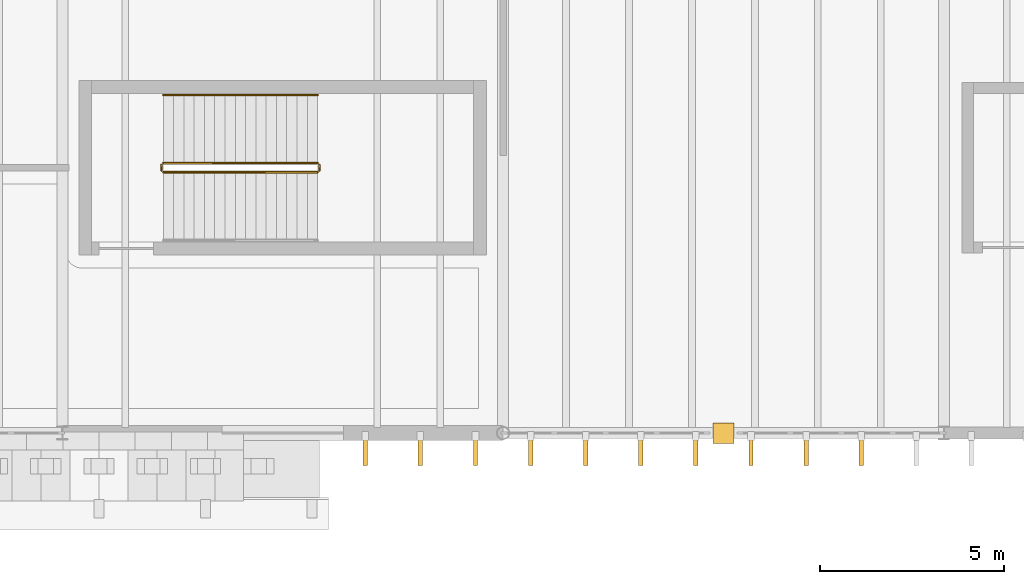
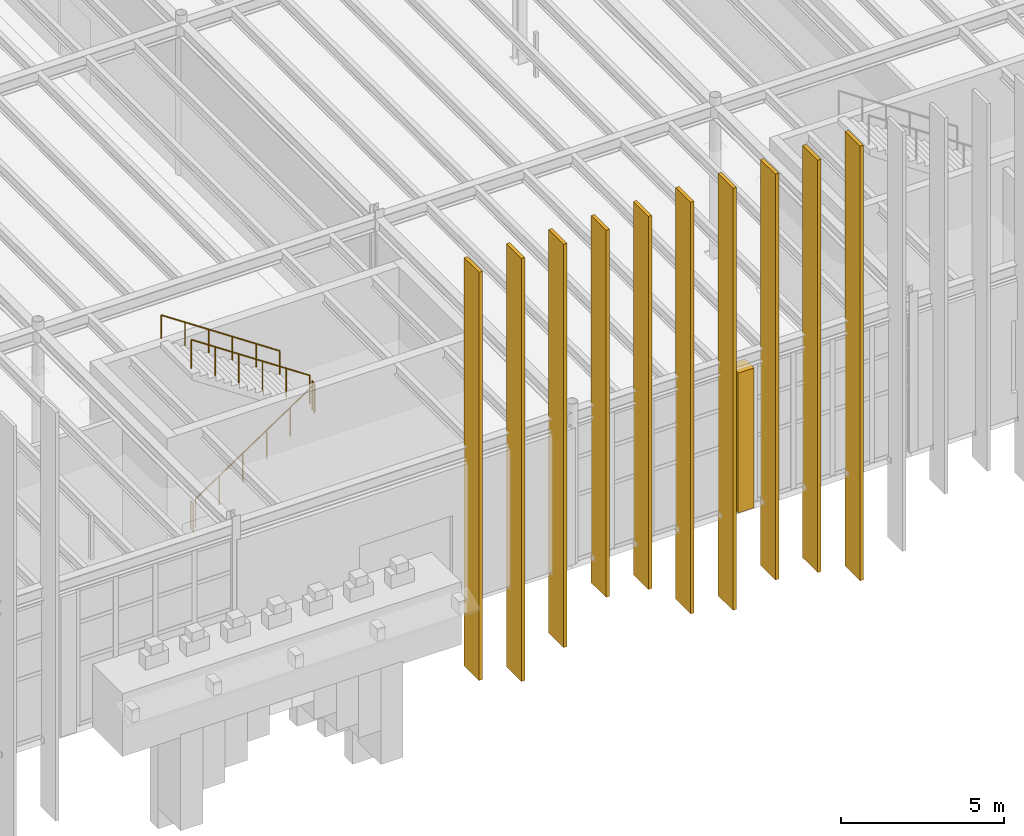
# One storey, part 67 of 83: 11 coverings, 5 railings.
"""IFC4 building model written with IfcOpenShell, lengths in metres."""

import ifcopenshell
import ifcopenshell.guid

model = None  # the IFC model being written
_history = None  # IfcOwnerHistory: only IFC2X3 demands one
_inside = {}  # id of a spatial element -> (the spatial element, [elements in it])
_under = {}  # id of a project, library or spatial element -> (it, [spatial elements below it])
_declared = {}  # id of a project -> (the project, [libraries it declares])
_typed = {}  # id of a type object -> (the type object, [elements of that type])
_made_of = {}  # id of a material, layer set ... -> (it, [elements and type objects made of it])


def new_model(schema):
    """Start an empty IFC model of exactly this schema.

    Asked for "IFC4X3", IfcOpenShell would pick the latest addendum, in which some entities
    have other attributes; the version numbers below select the first issue.
    IFC2X3 requires an IfcOwnerHistory on every rooted entity: one is made here for all.
    """
    global model, _history
    if schema == "IFC4X3":
        model = ifcopenshell.file(schema_version=(4, 3, 0, 0))
    else:
        model = ifcopenshell.file(schema=schema)
    _inside.clear()
    _under.clear()
    _declared.clear()
    _typed.clear()
    _made_of.clear()
    _history = None
    if model.schema == "IFC2X3":
        org = make("IfcOrganization", Name="unknown")
        user = make(
            "IfcPersonAndOrganization",
            ThePerson=make("IfcPerson", FamilyName="unknown"),
            TheOrganization=org,
        )
        app = make(
            "IfcApplication",
            ApplicationDeveloper=org,
            Version="unknown",
            ApplicationFullName="unknown",
            ApplicationIdentifier="unknown",
        )
        _history = make(
            "IfcOwnerHistory",
            OwningUser=user,
            OwningApplication=app,
            ChangeAction="ADDED",
            CreationDate=0,
        )
    return model


def make(cls, **values):
    """One entity of the class cls with the attributes given. An attribute that is None is left unset."""
    return model.create_entity(
        cls, **{name: value for name, value in values.items() if value is not None}
    )


def rooted(cls, **values):
    """An entity with a GlobalId (a new one), such as an element, a storey or a relation."""
    return make(cls, GlobalId=ifcopenshell.guid.new(), OwnerHistory=_history, **values)


def si_unit(unit_type, name, prefix=None):
    """IfcSIUnit, for example si_unit("LENGTHUNIT", "METRE", prefix="MILLI")."""
    return make("IfcSIUnit", UnitType=unit_type, Prefix=prefix, Name=name)


def assignment(units):
    """IfcUnitAssignment: the units of a project."""
    return None if units is None else make("IfcUnitAssignment", Units=units)


def point(xyz):
    """IfcCartesianPoint."""
    return None if xyz is None else make("IfcCartesianPoint", Coordinates=xyz)


def direction(xyz):
    """IfcDirection."""
    return None if xyz is None else make("IfcDirection", DirectionRatios=xyz)


def frame(location, z_axis=None, x_axis=None):
    """IfcAxis2Placement3D, a coordinate frame: its origin and axes. An axis left out is left unset."""
    return make(
        "IfcAxis2Placement3D",
        Location=point(location),
        Axis=direction(z_axis),
        RefDirection=direction(x_axis),
    )


def frame_2d(location, x_axis=None):
    """IfcAxis2Placement2D, a coordinate frame in the plane: its origin and x axis."""
    return make(
        "IfcAxis2Placement2D", Location=point(location), RefDirection=direction(x_axis)
    )


def origin():
    """The frame at (0, 0, 0) with its axes left unset."""
    return frame((0.0, 0.0, 0.0))


def origin_2d():
    """The frame at (0, 0) in the plane with its x axis left unset."""
    return frame_2d((0.0, 0.0))


def place(relative_to, where):
    """IfcLocalPlacement: puts the frame where relative to a parent placement (None: the world)."""
    return make(
        "IfcLocalPlacement", PlacementRelTo=relative_to, RelativePlacement=where
    )


def context(
    kind, dimensions, precision=None, world=None, true_north=None, identifier=None
):
    """IfcGeometricRepresentationContext, for example the 3D "Model" context."""
    return make(
        "IfcGeometricRepresentationContext",
        ContextIdentifier=identifier,
        ContextType=kind,
        CoordinateSpaceDimension=dimensions,
        Precision=precision,
        WorldCoordinateSystem=world,
        TrueNorth=true_north,
    )


def subcontext(parent, identifier, kind, view, scale=None):
    """IfcGeometricRepresentationSubContext, for example "Body" below "Model"."""
    return make(
        "IfcGeometricRepresentationSubContext",
        ContextIdentifier=identifier,
        ContextType=kind,
        ParentContext=parent,
        TargetScale=scale,
        TargetView=view,
    )


def project(units=None, contexts=None):
    """IfcProject with its units and contexts."""
    return rooted(
        "IfcProject",
        Name="project",
        RepresentationContexts=contexts,
        UnitsInContext=assignment(units),
    )


def spatial(cls, under=None, at=None, **own):
    """A site, building, storey or space (cls), placed at a placement, below another one or the project."""
    s = rooted(cls, ObjectPlacement=at, **own)
    if under is not None:
        _under.setdefault(under.id(), (under, []))[1].append(s)
    return s


def polyline(points):
    """IfcPolyline through the points."""
    return make("IfcPolyline", Points=[point(p) for p in points])


def profile(cls, at=None, kind="AREA", **sizes):
    """A parametric profile (cls). Its sizes go by their IFC names, for example OverallWidth=200.0."""
    return make(cls, ProfileType=kind, Position=at, **sizes)


def circle(**sizes):
    """IfcCircleProfileDef."""
    return profile("IfcCircleProfileDef", **sizes)


def outline(outer, holes=None, kind="AREA"):
    """IfcArbitraryClosedProfileDef: a profile drawn as a closed curve; with holes, ...WithVoids."""
    if holes is None:
        return make("IfcArbitraryClosedProfileDef", ProfileType=kind, OuterCurve=outer)
    return make(
        "IfcArbitraryProfileDefWithVoids",
        ProfileType=kind,
        OuterCurve=outer,
        InnerCurves=holes,
    )


def extrude(swept, where, along, depth):
    """IfcExtrudedAreaSolid: the profile swept, set in the frame where, extruded along a direction by depth."""
    return make(
        "IfcExtrudedAreaSolid",
        SweptArea=swept,
        Position=where,
        ExtrudedDirection=direction(along),
        Depth=depth,
    )


def shape(context_of_items, identifier, shape_type, items):
    """IfcShapeRepresentation: the items that make up one representation, for example the "Body"."""
    return make(
        "IfcShapeRepresentation",
        ContextOfItems=context_of_items,
        RepresentationIdentifier=identifier,
        RepresentationType=shape_type,
        Items=items,
    )


def material(Name=None, Category=None):
    """IfcMaterial."""
    return make("IfcMaterial", Name=Name, Category=Category)


def layer(
    of_material, thickness, ventilated=None, Name=None, Category=None, Priority=None
):
    """IfcMaterialLayer: one layer of a wall or slab, of a material (None: an air gap)."""
    return make(
        "IfcMaterialLayer",
        Material=of_material,
        LayerThickness=thickness,
        IsVentilated=ventilated,
        Name=Name,
        Category=Category,
        Priority=Priority,
    )


def layer_set(layers, Name=None):
    """IfcMaterialLayerSet."""
    return make("IfcMaterialLayerSet", MaterialLayers=layers, LayerSetName=Name)


def made_of(thing, what):
    """Note that an element or type object is made of a material, layer set ...; save() writes the relation."""
    if what is not None:
        _made_of.setdefault(what.id(), (what, []))[1].append(thing)
    return thing


def type_object(cls, material=None, **own):
    """A type object (cls), such as IfcWallType, which elements share."""
    return made_of(rooted(cls, **own), material)


def element(
    cls,
    number,
    at=None,
    inside=None,
    cuts=None,
    type_object=None,
    material=None,
    context=None,
    identifier="Body",
    shape_type=None,
    held_by="IfcProductDefinitionShape",
    body=None,
    shapes=None,
    **own,
):
    """One element of the class cls, such as IfcWall. Its Tag is "e" and its number.

    at: its placement. inside: the storey or other place that contains it. cuts: it is an
    opening in that element (IfcRelVoidsElement). A single representation is given by context,
    identifier, shape_type and body (its items); several are given by shapes. held_by: the class
    of the entity that holds the representations. save() writes the other relations.
    """
    e = rooted(cls, Tag="e%d" % number, ObjectPlacement=at, **own)
    if body is not None:
        shapes = [shape(context, identifier, shape_type, body)]
    if shapes is not None:
        e.Representation = make(held_by, Representations=shapes)
    if inside is not None:
        _inside.setdefault(inside.id(), (inside, []))[1].append(e)
    if cuts is not None:
        rooted(
            "IfcRelVoidsElement", RelatingBuildingElement=cuts, RelatedOpeningElement=e
        )
    if type_object is not None:
        _typed.setdefault(type_object.id(), (type_object, []))[1].append(e)
    return made_of(e, material)


def aggregate(whole, parts):
    """IfcRelAggregates: a whole, such as a stair, and the parts it consists of."""
    return rooted("IfcRelAggregates", RelatingObject=whole, RelatedObjects=parts)


def save(model, path):
    """Write the relations noted so far, then the file.

    IfcRelAggregates (storeys below a building ...), IfcRelContainedInSpatialStructure (elements
    in a storey), IfcRelDefinesByType, IfcRelAssociatesMaterial and IfcRelDeclares: one each for
    every whole, place, type object, material and project.
    """
    for whole, parts in _under.values():
        aggregate(whole, parts)
    for where, things in _inside.values():
        rooted(
            "IfcRelContainedInSpatialStructure",
            RelatedElements=things,
            RelatingStructure=where,
        )
    for kind, things in _typed.values():
        rooted("IfcRelDefinesByType", RelatedObjects=things, RelatingType=kind)
    for what, things in _made_of.values():
        rooted("IfcRelAssociatesMaterial", RelatedObjects=things, RelatingMaterial=what)
    for by, libraries in _declared.values():
        rooted("IfcRelDeclares", RelatingContext=by, RelatedDefinitions=libraries)
    model.write(path)


model = new_model("IFC4")

# Units and contexts
model_context = context("Model", 3, precision=1e-05, world=origin(), true_north=direction((0.0, 1.0)))
body_context = subcontext(model_context, "Body", "Model", "MODEL_VIEW")
ifc_project = project(units=[si_unit("LENGTHUNIT", "METRE"), si_unit("AREAUNIT", "SQUARE_METRE"), si_unit("VOLUMEUNIT", "CUBIC_METRE"), si_unit("PLANEANGLEUNIT", "RADIAN"), si_unit("MASSUNIT", "GRAM", prefix="KILO")], contexts=[model_context])

# Site, building, storey
site_placement = place(None, origin())
site = spatial("IfcSite", under=ifc_project, at=site_placement, CompositionType="ELEMENT")
building_placement = place(site_placement, origin())
building = spatial("IfcBuilding", under=site, at=building_placement, Name="Zlatogorsky Bluff Art Gallery", CompositionType="ELEMENT")
storey_placement = place(building_placement, frame((0.0, 0.0, 10.800048828125)))
storey = spatial("IfcBuildingStorey", under=building, at=storey_placement, Name="L02", CompositionType="ELEMENT", Elevation=10.800048828125)

# Covering
ifc_material_1 = material(Name="Honed Red Agra-Tone Quartzitic Sandstone", Category="masonry")
ifc_layer_1 = layer(ifc_material_1, 0.1201171875)
ifc_layer_set_1 = layer_set([ifc_layer_1], Name="Carved Sandstone Cladding CLD-02")
covering_type_1 = type_object("IfcCoveringType", Name="Carved Sandstone Cladding CLD-02", PredefinedType="CLADDING", material=ifc_layer_set_1)
covering_1_placement = place(storey_placement, frame((0.0, 0.0, -0.030029296875)))
element("IfcCovering", 1, at=covering_1_placement, inside=storey, type_object=covering_type_1, Name="Mughal dalan central sandstone pier L02 S 7.8", PredefinedType="CLADDING", context=body_context, shape_type="SweptSolid", body=[
    extrude(outline(polyline([(89.719970703125, 83.719970703125), (90.280029296875, 83.719970703125), (90.280029296875, 84.280029296875), (89.719970703125, 84.280029296875), (89.719970703125, 83.719970703125)])), origin(), (0.0, 0.0, 1.0), 5.239990234375),
])

# Railings
ifc_material_2 = material(Name="Architectural Bronze and Laminated Glass", Category="glass")
railing_type_1 = type_object("IfcRailingType", Name="Gallery Guard Rail 1100mm", PredefinedType="GUARDRAIL", material=ifc_material_2)
railing_1_placement = place(storey_placement, frame((74.75, 91.10009765625, 0.1875)))
element("IfcRailing", 2, at=railing_1_placement, inside=storey, type_object=railing_type_1, Name="L02 ST-08 stair guard 1", PredefinedType="GUARDRAIL", context=body_context, shape_type="SweptSolid", body=[
    extrude(circle(Radius=0.02392578125, at=origin_2d()), frame((0.0, 0.0, 1.076171875), z_axis=(0.830904186295, 0.0, 0.556415522067), x_axis=(0.0, 1.0, 0.0)), (0.0, 0.0, 1.0), 5.0546875),
    extrude(circle(Radius=0.02099609375, at=origin_2d()), origin(), (0.0, 0.0, 1.0), 1.052001953125),
    extrude(circle(Radius=0.02099609375, at=origin_2d()), frame((0.840087890625, 0.0, 0.5625)), (0.0, 0.0, 1.0), 1.052001953125),
    extrude(circle(Radius=0.02099609375, at=origin_2d()), frame((1.679931640625, 0.0, 1.125)), (0.0, 0.0, 1.0), 1.052001953125),
    extrude(circle(Radius=0.02099609375, at=origin_2d()), frame((2.52001953125, 0.0, 1.6875)), (0.0, 0.0, 1.0), 1.052001953125),
    extrude(circle(Radius=0.02099609375, at=origin_2d()), frame((3.35986328125, 0.0, 2.25)), (0.0, 0.0, 1.0), 1.052001953125),
    extrude(circle(Radius=0.02099609375, at=origin_2d()), frame((4.199951171875, 0.0, 2.8125)), (0.0, 0.0, 1.0), 1.052001953125),
])
railing_2_placement = place(storey_placement, frame((79.0, 91.14990234375, 3.0)))
element("IfcRailing", 3, at=railing_2_placement, inside=storey, type_object=railing_type_1, Name="L02 ST-08 stair guard 2", PredefinedType="GUARDRAIL", context=body_context, shape_type="SweptSolid", body=[
    extrude(circle(Radius=0.02392578125, at=origin_2d()), frame((0.0, 0.0, 1.076171875), z_axis=(0.0, 1.0, 0.0), x_axis=(-1.0, 0.0, 0.0)), (0.0, 0.0, 1.0), 0.150146484375),
    extrude(circle(Radius=0.02099609375, at=origin_2d()), origin(), (0.0, 0.0, 1.0), 1.052001953125),
    extrude(circle(Radius=0.02099609375, at=origin_2d()), frame((0.0, 0.150146484375, 0.0)), (0.0, 0.0, 1.0), 1.052001953125),
])
railing_3_placement = place(storey_placement, frame((78.949951171875, 91.35009765625, 3.1875)))
element("IfcRailing", 4, at=railing_3_placement, inside=storey, type_object=railing_type_1, Name="L02 ST-08 stair guard 3", PredefinedType="GUARDRAIL", context=body_context, shape_type="SweptSolid", body=[
    extrude(circle(Radius=0.02392578125, at=origin_2d()), frame((0.0, 0.0, 1.076171875), z_axis=(-0.830904186295, 0.0, 0.556415522067), x_axis=(0.0, -1.0, 0.0)), (0.0, 0.0, 1.0), 5.0546875),
    extrude(circle(Radius=0.02099609375, at=origin_2d()), origin(), (0.0, 0.0, 1.0), 1.052001953125),
    extrude(circle(Radius=0.02099609375, at=origin_2d()), frame((-0.840087890625, 0.0, 0.5625)), (0.0, 0.0, 1.0), 1.052001953125),
    extrude(circle(Radius=0.02099609375, at=origin_2d()), frame((-1.679931640625, 0.0, 1.125)), (0.0, 0.0, 1.0), 1.052001953125),
    extrude(circle(Radius=0.02099609375, at=origin_2d()), frame((-2.52001953125, 0.0, 1.6875)), (0.0, 0.0, 1.0), 1.052001953125),
    extrude(circle(Radius=0.02099609375, at=origin_2d()), frame((-3.35986328125, 0.0, 2.25)), (0.0, 0.0, 1.0), 1.052001953125),
    extrude(circle(Radius=0.02099609375, at=origin_2d()), frame((-4.199951171875, 0.0, 2.8125)), (0.0, 0.0, 1.0), 1.052001953125),
])
railing_4_placement = place(storey_placement, frame((74.699951171875, 91.14990234375, 0.0)))
element("IfcRailing", 5, at=railing_4_placement, inside=storey, type_object=railing_type_1, Name="L02 ST-08 stair guard 4", PredefinedType="GUARDRAIL", context=body_context, shape_type="SweptSolid", body=[
    extrude(circle(Radius=0.02392578125, at=origin_2d()), frame((0.0, 0.0, 1.076171875), z_axis=(0.0, 1.0, 0.0), x_axis=(-1.0, 0.0, 0.0)), (0.0, 0.0, 1.0), 0.150146484375),
    extrude(circle(Radius=0.02099609375, at=origin_2d()), origin(), (0.0, 0.0, 1.0), 1.052001953125),
    extrude(circle(Radius=0.02099609375, at=origin_2d()), frame((0.0, 0.150146484375, 0.0)), (0.0, 0.0, 1.0), 1.052001953125),
])
ifc_material_3 = material(Name="Brushed Stainless Steel", Category="steel")
railing_type_2 = type_object("IfcRailingType", Name="Stair Pitch Handrail 900mm", PredefinedType="HANDRAIL", material=ifc_material_3)
railing_5_placement = place(storey_placement, frame((78.949951171875, 93.199951171875, 3.1875)))
element("IfcRailing", 6, at=railing_5_placement, inside=storey, type_object=railing_type_2, Name="L02 ST-08 stair handrail 2", PredefinedType="HANDRAIL", context=body_context, shape_type="SweptSolid", body=[
    extrude(circle(Radius=0.02392578125, at=origin_2d()), frame((0.0, 0.0, 0.8759765625), z_axis=(-0.830904186295, 0.0, 0.556415522067), x_axis=(0.0, -1.0, 0.0)), (0.0, 0.0, 1.0), 5.0546875),
    extrude(circle(Radius=0.02099609375, at=origin_2d()), origin(), (0.0, 0.0, 1.0), 0.851806640625),
    extrude(circle(Radius=0.02099609375, at=origin_2d()), frame((-0.840087890625, 0.0, 0.5625)), (0.0, 0.0, 1.0), 0.851806640625),
    extrude(circle(Radius=0.02099609375, at=origin_2d()), frame((-1.679931640625, 0.0, 1.125)), (0.0, 0.0, 1.0), 0.851806640625),
    extrude(circle(Radius=0.02099609375, at=origin_2d()), frame((-2.52001953125, 0.0, 1.6875)), (0.0, 0.0, 1.0), 0.851806640625),
    extrude(circle(Radius=0.02099609375, at=origin_2d()), frame((-3.35986328125, 0.0, 2.25)), (0.0, 0.0, 1.0), 0.851806640625),
    extrude(circle(Radius=0.02099609375, at=origin_2d()), frame((-4.199951171875, 0.0, 2.8125)), (0.0, 0.0, 1.0), 0.851806640625),
])

# Coverings
ifc_material_4 = material(Name="Patinated Architectural Bronze Fin", Category="metal")
ifc_layer_2 = layer(ifc_material_4, 0.110107421875)
ifc_layer_set_2 = layer_set([ifc_layer_2], Name="Vertical Gallery Fin FIN-01")
covering_type_2 = type_object("IfcCoveringType", Name="Vertical Gallery Fin FIN-01", PredefinedType="CLADDING", material=ifc_layer_set_2)
covering_2_placement = place(storey_placement, frame((0.0, 0.0, -2.608154296875)))
element("IfcCovering", 7, at=covering_2_placement, inside=storey, type_object=covering_type_2, Name="Lifted gallery vertical bronze fin S.045", PredefinedType="CLADDING", context=body_context, shape_type="SweptSolid", body=[
    extrude(outline(polyline([(80.18994140625, 83.1201171875), (80.31005859375, 83.1201171875), (80.31005859375, 84.0400390625), (80.18994140625, 84.0400390625), (80.18994140625, 83.1201171875)])), origin(), (0.0, 0.0, 1.0), 15.2880859375),
])
covering_3_placement = place(storey_placement, frame((0.0, 0.0, -3.173095703125)))
element("IfcCovering", 8, at=covering_3_placement, inside=storey, type_object=covering_type_2, Name="Lifted gallery vertical bronze fin S.046", PredefinedType="CLADDING", context=body_context, shape_type="SweptSolid", body=[
    extrude(outline(polyline([(81.68994140625, 83.1201171875), (81.81005859375, 83.1201171875), (81.81005859375, 84.0400390625), (81.68994140625, 84.0400390625), (81.68994140625, 83.1201171875)])), origin(), (0.0, 0.0, 1.0), 15.85302734375),
])
covering_4_placement = place(storey_placement, frame((0.0, 0.0, -2.427978515625)))
element("IfcCovering", 9, at=covering_4_placement, inside=storey, type_object=covering_type_2, Name="Lifted gallery vertical bronze fin S.047", PredefinedType="CLADDING", context=body_context, shape_type="SweptSolid", body=[
    extrude(outline(polyline([(83.18994140625, 83.1201171875), (83.31005859375, 83.1201171875), (83.31005859375, 84.0400390625), (83.18994140625, 84.0400390625), (83.18994140625, 83.1201171875)])), origin(), (0.0, 0.0, 1.0), 15.10791015625),
])
covering_5_placement = place(storey_placement, frame((0.0, 0.0, -1.070068359375)))
element("IfcCovering", 10, at=covering_5_placement, inside=storey, type_object=covering_type_2, Name="Lifted gallery vertical bronze fin S.048", PredefinedType="CLADDING", context=body_context, shape_type="SweptSolid", body=[
    extrude(outline(polyline([(84.68994140625, 83.1201171875), (84.81005859375, 83.1201171875), (84.81005859375, 84.0400390625), (84.68994140625, 84.0400390625), (84.68994140625, 83.1201171875)])), origin(), (0.0, 0.0, 1.0), 13.75),
])
covering_6_placement = place(storey_placement, frame((0.0, 0.0, -1.301025390625)))
element("IfcCovering", 11, at=covering_6_placement, inside=storey, type_object=covering_type_2, Name="Lifted gallery vertical bronze fin S.049", PredefinedType="CLADDING", context=body_context, shape_type="SweptSolid", body=[
    extrude(outline(polyline([(86.18994140625, 83.1201171875), (86.31005859375, 83.1201171875), (86.31005859375, 84.0400390625), (86.18994140625, 84.0400390625), (86.18994140625, 83.1201171875)])), origin(), (0.0, 0.0, 1.0), 13.98095703125),
])
covering_7_placement = place(storey_placement, frame((0.0, 0.0, -2.738037109375)))
element("IfcCovering", 12, at=covering_7_placement, inside=storey, type_object=covering_type_2, Name="Lifted gallery vertical bronze fin S.050", PredefinedType="CLADDING", context=body_context, shape_type="SweptSolid", body=[
    extrude(outline(polyline([(87.68994140625, 83.1201171875), (87.81005859375, 83.1201171875), (87.81005859375, 84.0400390625), (87.68994140625, 84.0400390625), (87.68994140625, 83.1201171875)])), origin(), (0.0, 0.0, 1.0), 15.41796875),
])
covering_8_placement = place(storey_placement, frame((0.0, 0.0, -3.133056640625)))
element("IfcCovering", 13, at=covering_8_placement, inside=storey, type_object=covering_type_2, Name="Lifted gallery vertical bronze fin S.051", PredefinedType="CLADDING", context=body_context, shape_type="SweptSolid", body=[
    extrude(outline(polyline([(89.18994140625, 83.1201171875), (89.31005859375, 83.1201171875), (89.31005859375, 84.0400390625), (89.18994140625, 84.0400390625), (89.18994140625, 83.1201171875)])), origin(), (0.0, 0.0, 1.0), 15.81298828125),
])
covering_9_placement = place(storey_placement, frame((0.0, 0.0, -2.51904296875)))
element("IfcCovering", 14, at=covering_9_placement, inside=storey, type_object=covering_type_2, Name="Lifted gallery vertical bronze fin S.052", PredefinedType="CLADDING", context=body_context, shape_type="SweptSolid", body=[
    extrude(outline(polyline([(90.68994140625, 83.1201171875), (90.81005859375, 83.1201171875), (90.81005859375, 84.0400390625), (90.68994140625, 84.0400390625), (90.68994140625, 83.1201171875)])), origin(), (0.0, 0.0, 1.0), 15.198974609375),
])
covering_10_placement = place(storey_placement, frame((0.0, 0.0, -2.76513671875)))
element("IfcCovering", 15, at=covering_10_placement, inside=storey, type_object=covering_type_2, Name="Lifted gallery vertical bronze fin S.053", PredefinedType="CLADDING", context=body_context, shape_type="SweptSolid", body=[
    extrude(outline(polyline([(92.18994140625, 83.1201171875), (92.31005859375, 83.1201171875), (92.31005859375, 84.0400390625), (92.18994140625, 84.0400390625), (92.18994140625, 83.1201171875)])), origin(), (0.0, 0.0, 1.0), 15.445068359375),
])
covering_11_placement = place(storey_placement, frame((0.0, 0.0, -3.59912109375)))
element("IfcCovering", 16, at=covering_11_placement, inside=storey, type_object=covering_type_2, Name="Lifted gallery vertical bronze fin S.054", PredefinedType="CLADDING", context=body_context, shape_type="SweptSolid", body=[
    extrude(outline(polyline([(93.68994140625, 83.1201171875), (93.81005859375, 83.1201171875), (93.81005859375, 84.0400390625), (93.68994140625, 84.0400390625), (93.68994140625, 83.1201171875)])), origin(), (0.0, 0.0, 1.0), 16.279052734375),
])

save(model, "model.ifc")
